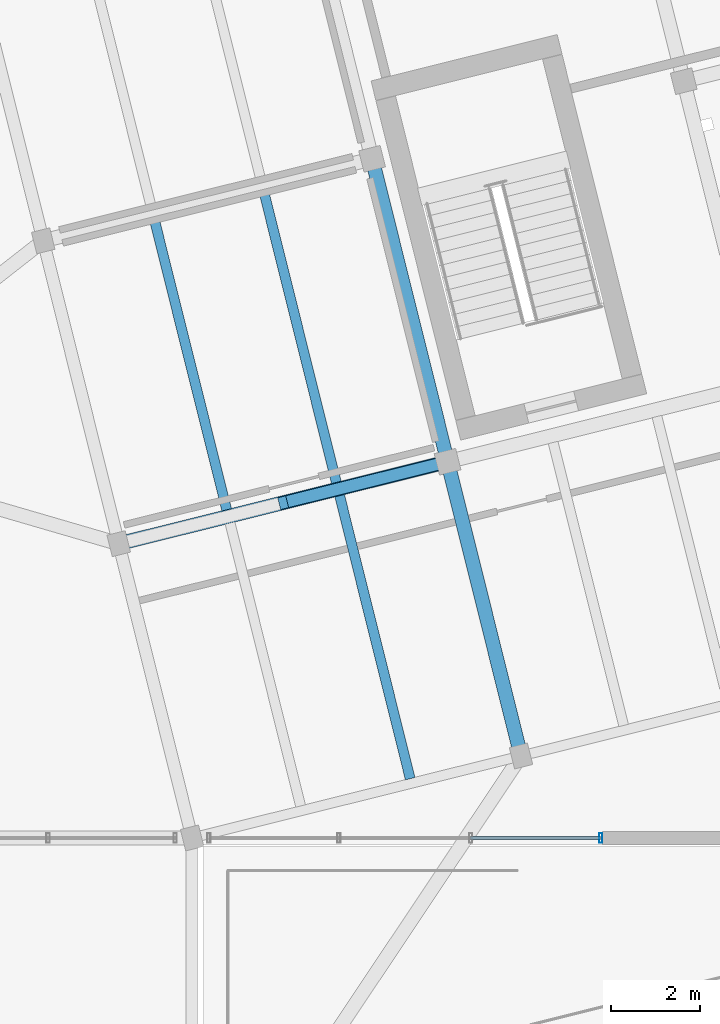
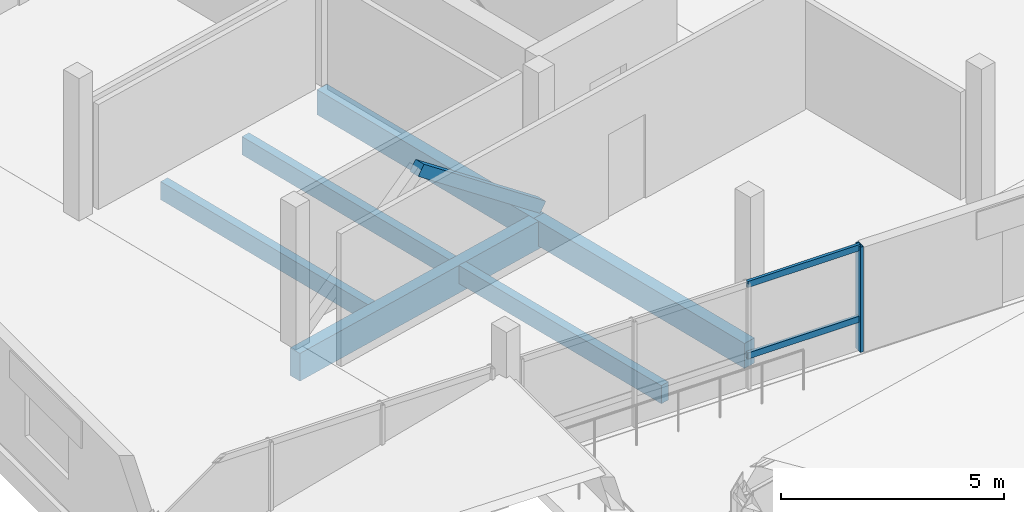
# One storey, part 10 of 39: 6 beams, 4 members, 1 element without a shape of its own.
"""IFC4 building model written with IfcOpenShell, lengths in metres."""

from ifc_helpers import new_model, si_unit, direction, frame, origin, origin_2d, place, context, subcontext, project, spatial, rectangle, hollow_rectangle, extrude, material, layer, layer_set, material_profile, profile_set, type_object, element, aggregate, save


model = new_model("IFC4")

# Units and contexts
model_context = context("Model", 3, precision=1e-05, world=origin(), true_north=direction((0.0, 1.0)))
body_context = subcontext(model_context, "Body", "Model", "MODEL_VIEW")
ifc_project = project(units=[si_unit("LENGTHUNIT", "METRE"), si_unit("AREAUNIT", "SQUARE_METRE"), si_unit("VOLUMEUNIT", "CUBIC_METRE"), si_unit("PLANEANGLEUNIT", "RADIAN"), si_unit("MASSUNIT", "GRAM", prefix="KILO")], contexts=[model_context])

# Site, building, storey
site_placement = place(None, origin())
site = spatial("IfcSite", under=ifc_project, at=site_placement, CompositionType="ELEMENT")
building_placement = place(site_placement, origin())
building = spatial("IfcBuilding", under=site, at=building_placement, Name="Meriwether Solvik Hall", CompositionType="ELEMENT")
storey_placement = place(building_placement, frame((0.0, 0.0, 22.199951171875)))
storey = spatial("IfcBuildingStorey", under=building, at=storey_placement, Name="L05", CompositionType="ELEMENT", Elevation=22.199951171875)

# Beams
ifc_material_1 = material(Name="Glulam Douglas-Fir 24F-V8 GL28h", Category="wood")
ifc_material_profile_1 = material_profile(ifc_material_1, rectangle(XDim=0.31494140625, YDim=0.68505859375, at=origin_2d()), Name="GLB-315X685")
ifc_profile_set_1 = profile_set([ifc_material_profile_1], Name="Glulam Douglas-Fir 24F-V8 GL28h")
beam_type_1 = type_object("IfcBeamType", Name="BM-GL-315X685", PredefinedType="BEAM", material=ifc_profile_set_1)
beam_1_placement = place(storey_placement, frame((75.974365234375, 43.03857421875, -0.58740234375), z_axis=(-0.241944251278, 0.970290152106, 0.0), x_axis=(-0.970290152106, -0.241944251278, 0.0)))
element("IfcBeam", 1, at=beam_1_placement, inside=storey, type_object=beam_type_1, Name="Tower Girder T2:TA-TB (L05)", PredefinedType="BEAM", context=body_context, shape_type="SweptSolid", body=[
    extrude(rectangle(XDim=0.31494140625, YDim=0.68505859375, at=origin_2d()), origin(), (0.0, 0.0, 1.0), 6.80029296875),
])
beam_2_placement = place(storey_placement, frame((74.3291015625, 49.63671875, -0.58740234375), z_axis=(-0.241911879182, 0.970298223594, 0.0), x_axis=(-0.970298223594, -0.241911879182, 0.0)))
element("IfcBeam", 2, at=beam_2_placement, inside=storey, type_object=beam_type_1, Name="Tower Girder T2:TB-TC (L05)", PredefinedType="BEAM", context=body_context, shape_type="SweptSolid", body=[
    extrude(rectangle(XDim=0.31494140625, YDim=0.68505859375, at=origin_2d()), origin(), (0.0, 0.0, 1.0), 7.0),
])
ifc_material_2 = material(Name="Glulam Douglas-Fir 24F-V8 GL28h", Category="wood")
ifc_material_profile_2 = material_profile(ifc_material_2, rectangle(XDim=0.31494140625, YDim=0.760009765625, at=origin_2d()), Name="GLB-315X760")
ifc_profile_set_2 = profile_set([ifc_material_profile_2], Name="Glulam Douglas-Fir 24F-V8 GL28h")
beam_type_2 = type_object("IfcBeamType", Name="BM-GL-315X760", PredefinedType="BEAM", material=ifc_profile_set_2)
beam_3_placement = place(storey_placement, frame((66.954833984375, 47.798095703125, -0.625), z_axis=(0.970295366785, 0.241923337436, 0.0), x_axis=(-0.241923337436, 0.970295366785, 0.0)))
element("IfcBeam", 3, at=beam_3_placement, inside=storey, type_object=beam_type_2, Name="Tower Girder TB:T1-T2 (L05)", PredefinedType="BEAM", context=body_context, shape_type="SweptSolid", body=[
    extrude(rectangle(XDim=0.31494140625, YDim=0.760009765625, at=origin_2d()), origin(), (0.0, 0.0, 1.0), 7.60009765625),
])

# Curtain wall, members
ifc_material_3 = material(Name="Thermally Broken Anodised Aluminium 6063-T6 and Low-E Glass", Category="aluminium")
ifc_layer = layer(ifc_material_3, 0.179931640625)
ifc_layer_set = layer_set([ifc_layer], Name="Thermally Broken Anodised Aluminium 6063-T6 and Low-E Glass")
curtain_wall_type = type_object("IfcCurtainWallType", Name="CW-UNIT-E", PredefinedType="USERDEFINED", material=ifc_layer_set)
curtain_wall_placement = place(storey_placement, origin())
curtain_wall = element("IfcCurtainWall", 4, at=curtain_wall_placement, inside=storey, type_object=curtain_wall_type, Name="Curtain Wall wing_XE_8_1 (L05)", ObjectType="UNITISED CURTAIN WALL", PredefinedType="USERDEFINED")
ifc_material_4 = material(Name="Anodised Aluminium 6063-T6", Category="aluminium")
ifc_material_profile_3 = material_profile(ifc_material_4, hollow_rectangle(XDim=0.074951171875, YDim=0.219970703125, WallThickness=0.005615234375, at=origin_2d()), Name="CWM-75X220")
ifc_profile_set_3 = profile_set([ifc_material_profile_3], Name="Anodised Aluminium 6063-T6")
member_type_1 = type_object("IfcMemberType", Name="CW-MUL-75X220", PredefinedType="MULLION", material=ifc_profile_set_3)
member_1_placement = place(storey_placement, frame((77.761962890625, 41.199951171875, 0.0), z_axis=(0.0, 0.0, 1.0), x_axis=(-1.0, 0.0, 0.0)))
member_1 = element("IfcMember", 5, at=member_1_placement, type_object=member_type_1, Name="Curtain Wall Mullion 1", PredefinedType="MULLION", context=body_context, shape_type="SweptSolid", body=[
    extrude(hollow_rectangle(XDim=0.074951171875, YDim=0.219970703125, WallThickness=0.005615234375, at=origin_2d()), origin(), (0.0, 0.0, 1.0), 2.880126953125),
])
ifc_material_5 = material(Name="Anodised Aluminium 6063-T6", Category="aluminium")
ifc_material_profile_4 = material_profile(ifc_material_5, hollow_rectangle(XDim=0.074951171875, YDim=0.169921875, WallThickness=0.005615234375, at=origin_2d()), Name="CWT-75X170")
ifc_profile_set_4 = profile_set([ifc_material_profile_4], Name="Anodised Aluminium 6063-T6")
member_type_2 = type_object("IfcMemberType", Name="CW-TRN-75X170", PredefinedType="USERDEFINED", material=ifc_profile_set_4)
member_2_placement = place(storey_placement, frame((77.761962890625, 41.199951171875, 0.864013671875), z_axis=(-1.0, 0.0, 0.0), x_axis=(0.0, -1.0, 0.0)))
member_2 = element("IfcMember", 6, at=member_2_placement, type_object=member_type_2, Name="Curtain Wall Transom 1-sill", ObjectType="TRANSOM", PredefinedType="USERDEFINED", context=body_context, shape_type="SweptSolid", body=[
    extrude(hollow_rectangle(XDim=0.074951171875, YDim=0.169921875, WallThickness=0.005615234375, at=origin_2d()), origin(), (0.0, 0.0, 1.0), 2.915283203125),
])
member_3_placement = place(storey_placement, frame((77.761962890625, 41.199951171875, 2.820068359375), z_axis=(-1.0, 0.0, 0.0), x_axis=(0.0, -1.0, 0.0)))
member_3 = element("IfcMember", 7, at=member_3_placement, type_object=member_type_2, Name="Curtain Wall Transom 1-head", ObjectType="TRANSOM", PredefinedType="USERDEFINED", context=body_context, shape_type="SweptSolid", body=[
    extrude(hollow_rectangle(XDim=0.074951171875, YDim=0.169921875, WallThickness=0.005615234375, at=origin_2d()), origin(), (0.0, 0.0, 1.0), 2.915283203125),
])
aggregate(curtain_wall, [member_1, member_2, member_3])

# Beams
ifc_material_6 = material(Name="Glulam Douglas-Fir 24F-V8 GL28h", Category="wood")
ifc_material_profile_5 = material_profile(ifc_material_6, rectangle(XDim=0.221923828125, YDim=0.4951171875, at=origin_2d()), Name="GLJ-222X495")
ifc_profile_set_5 = profile_set([ifc_material_profile_5], Name="Glulam Douglas-Fir 24F-V8 GL28h")
beam_type_3 = type_object("IfcBeamType", Name="JST-GL-222X495", PredefinedType="JOIST", material=ifc_profile_set_5)
beam_4_placement = place(storey_placement, frame((73.490478515625, 42.528564453125, -0.492431640625), z_axis=(-0.241920861923, 0.970295984, 0.0), x_axis=(-0.970295984, -0.241920861923, 0.0)))
element("IfcBeam", 8, at=beam_4_placement, inside=storey, type_object=beam_type_3, Name="Glulam Floor Joist T1/TA-J2 (L05)", PredefinedType="JOIST", context=body_context, shape_type="SweptSolid", body=[
    extrude(rectangle(XDim=0.221923828125, YDim=0.4951171875, at=origin_2d()), origin(), (0.0, 0.0, 1.0), 6.54150390625),
])
beam_5_placement = place(storey_placement, frame((69.3759765625, 48.558837890625, -0.492431640625), z_axis=(-0.241917792922, 0.970296749179, 0.0), x_axis=(-0.970296749179, -0.241917792922, 0.0)))
element("IfcBeam", 9, at=beam_5_placement, inside=storey, type_object=beam_type_3, Name="Glulam Floor Joist T1/TB-J1 (L05)", PredefinedType="JOIST", context=body_context, shape_type="SweptSolid", body=[
    extrude(rectangle(XDim=0.221923828125, YDim=0.4951171875, at=origin_2d()), origin(), (0.0, 0.0, 1.0), 6.695068359375),
])
beam_6_placement = place(storey_placement, frame((71.834228515625, 49.171630859375, -0.492431640625), z_axis=(-0.241909233393, 0.970298883231, 0.0), x_axis=(-0.970298883231, -0.241909233393, 0.0)))
element("IfcBeam", 10, at=beam_6_placement, inside=storey, type_object=beam_type_3, Name="Glulam Floor Joist T1/TB-J2 (L05)", PredefinedType="JOIST", context=body_context, shape_type="SweptSolid", body=[
    extrude(rectangle(XDim=0.221923828125, YDim=0.4951171875, at=origin_2d()), origin(), (0.0, 0.0, 1.0), 6.6953125),
])

# Member
ifc_material_7 = material(Name="Glulam Douglas-Fir 24F-V8 GL28h", Category="wood")
ifc_material_profile_6 = material_profile(ifc_material_7, rectangle(XDim=0.27294921875, YDim=0.304931640625, at=origin_2d()), Name="GLM-273X305")
ifc_profile_set_6 = profile_set([ifc_material_profile_6], Name="Glulam Douglas-Fir 24F-V8 GL28h")
member_type_3 = type_object("IfcMemberType", Name="MEM-BR-GL273", PredefinedType="BRACE", material=ifc_profile_set_6)
member_4_placement = place(storey_placement, frame((74.3291015625, 49.63671875, 0.050048828125), z_axis=(-0.775232174038, -0.19332037925, 0.601367032105), x_axis=(0.241961122321, -0.970285945114, 0.0)))
element("IfcMember", 11, at=member_4_placement, inside=storey, type_object=member_type_3, Name="Tower Chevron Brace L05-B1B", PredefinedType="BRACE", context=body_context, shape_type="SweptSolid", body=[
    extrude(rectangle(XDim=0.27294921875, YDim=0.304931640625, at=origin_2d()), origin(), (0.0, 0.0, 1.0), 4.756103515625),
])

save(model, "model.ifc")
